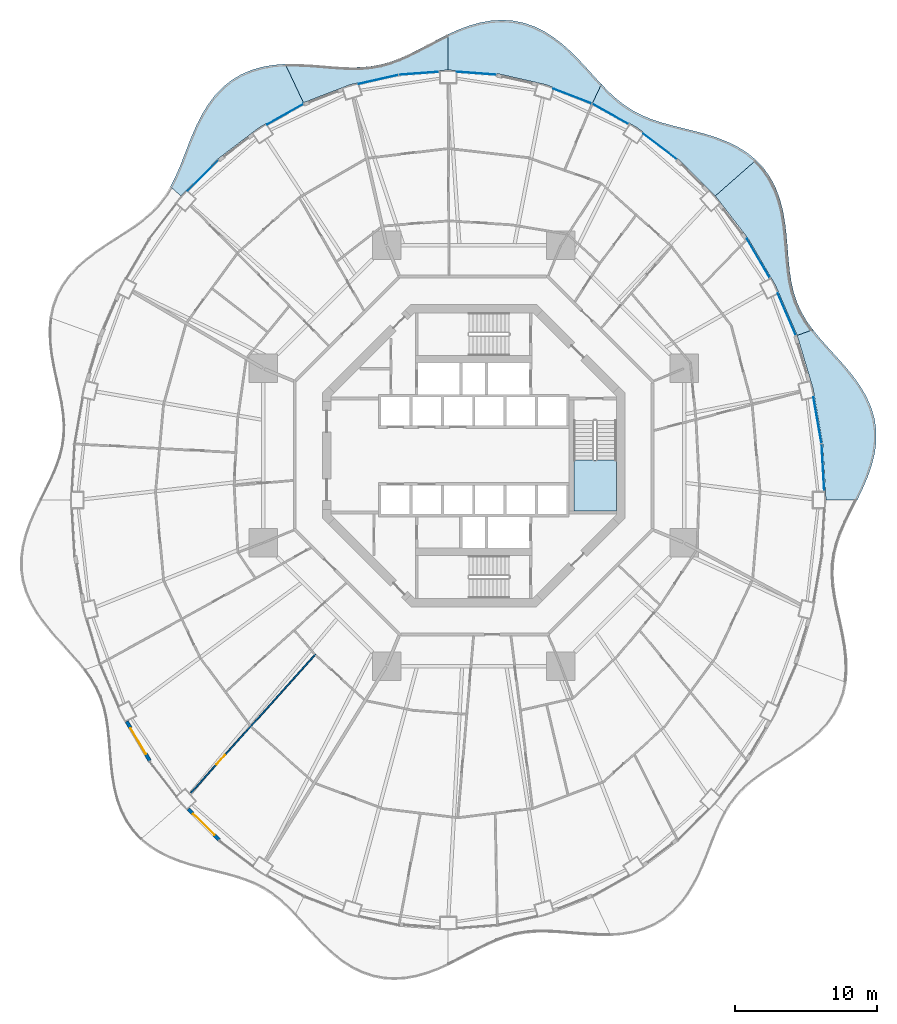
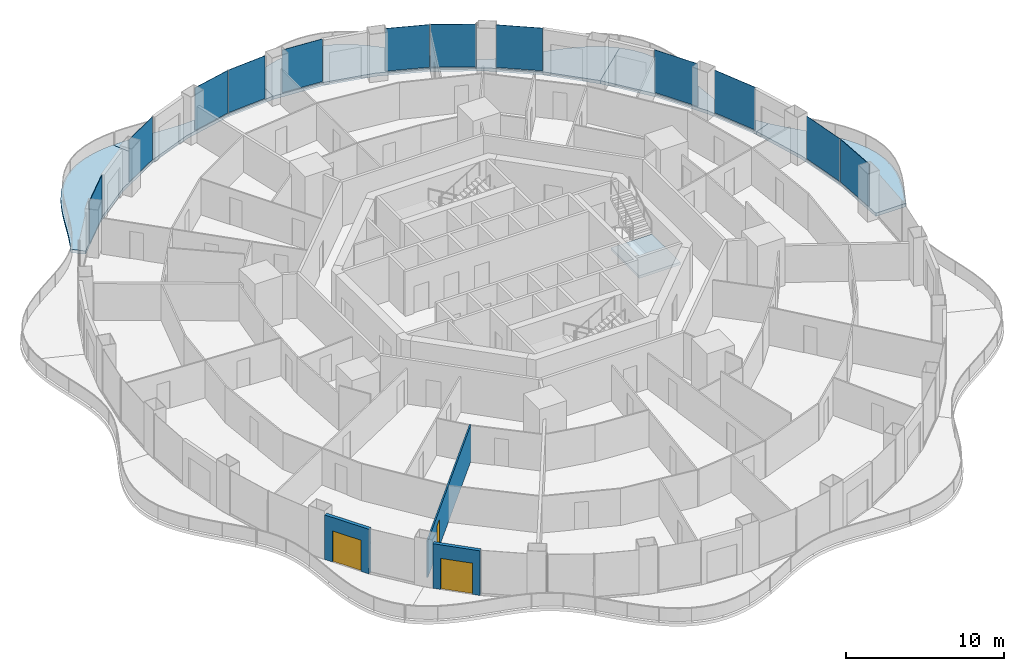
# One storey, part 11 of 20: 12 plates, 7 slabs, 3 doors, 3 walls, 3 openings, 13 elements without a shape of their own.
"""IFC4 building model written with IfcOpenShell, lengths in metres."""

from ifc_helpers import new_model, si_unit, direction, frame, frame_2d, origin, origin_2d, place, context, subcontext, project, spatial, polyline, rectangle, outline, extrude, material, layer, layer_set, type_object, element, fill, aggregate, save


model = new_model("IFC4")

# Units and contexts
model_context = context("Model", 3, precision=1e-05, world=origin(), true_north=direction((0.0, 1.0)))
body_context = subcontext(model_context, "Body", "Model", "MODEL_VIEW")
ifc_project = project(units=[si_unit("LENGTHUNIT", "METRE"), si_unit("AREAUNIT", "SQUARE_METRE"), si_unit("VOLUMEUNIT", "CUBIC_METRE"), si_unit("PLANEANGLEUNIT", "RADIAN"), si_unit("MASSUNIT", "GRAM", prefix="KILO")], contexts=[model_context])

# Site, building, storey
site_placement = place(None, origin())
site = spatial("IfcSite", under=ifc_project, at=site_placement, CompositionType="ELEMENT")
building_placement = place(site_placement, origin())
building = spatial("IfcBuilding", under=site, at=building_placement, Name="Nagisa Residences", CompositionType="ELEMENT")
storey_placement = place(building_placement, frame((0.0, 0.0, 141.800048828125)))
storey = spatial("IfcBuildingStorey", under=building, at=storey_placement, Name="L35", CompositionType="ELEMENT", Elevation=141.800048828125)

# Slabs
ifc_material_1 = material(Name="Concrete C40/50", Category="concrete")
ifc_layer_1 = layer(ifc_material_1, 0.25)
ifc_layer_set_1 = layer_set([ifc_layer_1], Name="BALCONY SLAB 250")
slab_type_1 = type_object("IfcSlabType", Name="BALCONY SLAB 250", PredefinedType="FLOOR", material=ifc_layer_set_1)
slab_1_placement = place(storey_placement, frame((0.0, 0.0, -0.25)))
element("IfcSlab", 1, at=slab_1_placement, inside=storey, type_object=slab_type_1, Name="slab:L35:bal00", PredefinedType="FLOOR", context=body_context, shape_type="SweptSolid", body=[
    extrude(outline(polyline([(26.92822265625, -3.11767578125), (27.307861328125, -2.325439453125), (27.654541015625, -1.517822265625), (27.943115234375, -0.697265625), (28.15087890625, 0.131103515625), (28.260009765625, 0.9609375), (28.25830078125, 1.78515625), (28.1396484375, 2.596435546875), (27.905517578125, 3.387939453125), (27.563720703125, 4.154541015625), (27.12890625, 4.892333984375), (26.619873046875, 5.600830078125), (26.060302734375, 6.281005859375), (25.47509765625, 6.937255859375), (24.89013671875, 7.576171875), (24.32958984375, 8.206298828125), (23.814208984375, 8.83740234375), (22.715087890625, 8.4375), (23.830810546875, 4.697265625), (24.508056640625, 0.823486328125), (24.735107421875, -3.11767578125), (26.92822265625, -3.11767578125)])), origin(), (0.0, 0.0, 1.0), 0.25),
])
slab_2_placement = place(storey_placement, frame((0.0, 0.0, -0.25)))
element("IfcSlab", 2, at=slab_2_placement, inside=storey, type_object=slab_type_1, Name="slab:L35:bal01", PredefinedType="FLOOR", context=body_context, shape_type="SweptSolid", body=[
    extrude(outline(polyline([(23.814208984375, 8.83740234375), (23.37353515625, 9.459716796875), (23.000732421875, 10.101318359375), (22.69970703125, 10.770263671875), (22.46923828125, 11.471923828125), (22.3017578125, 12.20947265625), (22.185302734375, 12.98291015625), (22.103271484375, 13.7890625), (22.0361328125, 14.621337890625), (21.96337890625, 15.47021484375), (21.86376953125, 16.32373046875), (21.71728515625, 17.16748046875), (21.5068359375, 17.987060546875), (21.218994140625, 18.767578125), (20.84521484375, 19.49560546875), (20.381103515625, 20.15966796875), (19.82861328125, 20.75146484375), (16.963134765625, 18.2333984375), (19.251708984375, 15.263916015625), (21.179931640625, 11.979736328125), (22.715087890625, 8.4375), (23.814208984375, 8.83740234375)])), origin(), (0.0, 0.0, 1.0), 0.25),
])
slab_3_placement = place(storey_placement, frame((0.0, 0.0, -0.25)))
element("IfcSlab", 3, at=slab_3_placement, inside=storey, type_object=slab_type_1, Name="slab:L35:bal02", PredefinedType="FLOOR", context=body_context, shape_type="SweptSolid", body=[
    extrude(outline(polyline([(19.82861328125, 20.75146484375), (19.22509765625, 21.24462890625), (18.55615234375, 21.668212890625), (17.83349609375, 22.025634765625), (17.07177734375, 22.324462890625), (16.286376953125, 22.574951171875), (15.4921875, 22.79052734375), (14.703857421875, 22.986328125), (13.934326171875, 23.178466796875), (13.193359375, 23.383544921875), (12.48779296875, 23.6162109375), (11.821044921875, 23.8896484375), (11.193603515625, 24.2138671875), (10.601318359375, 24.5947265625), (10.038330078125, 25.034423828125), (9.49609375, 25.529541015625), (8.96435546875, 26.072998046875), (8.3544921875, 24.77880859375), (11.467529296875, 23.031982421875), (14.353515625, 20.837646484375), (16.963134765625, 18.2333984375), (19.82861328125, 20.75146484375)])), origin(), (0.0, 0.0, 1.0), 0.25),
])
slab_4_placement = place(storey_placement, frame((0.0, 0.0, -0.25)))
element("IfcSlab", 4, at=slab_4_placement, inside=storey, type_object=slab_type_1, Name="slab:L35:bal03", PredefinedType="FLOOR", context=body_context, shape_type="SweptSolid", body=[
    extrude(outline(polyline([(8.96435546875, 26.072998046875), (8.451904296875, 26.63134765625), (7.9296875, 27.209716796875), (7.38916015625, 27.7919921875), (6.8232421875, 28.360107421875), (6.226318359375, 28.89599609375), (5.59619140625, 29.381591796875), (4.931640625, 29.80078125), (4.234619140625, 30.139404296875), (3.509521484375, 30.386962890625), (2.761474609375, 30.537353515625), (1.997802734375, 30.588134765625), (1.22607421875, 30.5419921875), (0.4541015625, 30.406005859375), (-0.311279296875, 30.19091796875), (-1.06396484375, 29.9111328125), (-1.800048828125, 29.583984375), (-1.800048828125, 27.077392578125), (1.66357421875, 26.819091796875), (5.06787109375, 26.04833984375), (8.3544921875, 24.77880859375), (8.96435546875, 26.072998046875)])), origin(), (0.0, 0.0, 1.0), 0.25),
])
slab_5_placement = place(storey_placement, frame((0.0, 0.0, -0.25)))
element("IfcSlab", 5, at=slab_5_placement, inside=storey, type_object=slab_type_1, Name="slab:L35:bal04", PredefinedType="FLOOR", context=body_context, shape_type="SweptSolid", body=[
    extrude(outline(polyline([(-1.800048828125, 29.583984375), (-2.5166015625, 29.228271484375), (-3.2138671875, 28.86279296875), (-3.8935546875, 28.50634765625), (-4.55908203125, 28.17578125), (-5.216064453125, 27.885498046875), (-5.870361328125, 27.645751953125), (-6.52880859375, 27.4638671875), (-7.197998046875, 27.341552734375), (-7.88330078125, 27.276611328125), (-8.58935546875, 27.2626953125), (-9.318359375, 27.289306640625), (-10.07080078125, 27.343017578125), (-10.84423828125, 27.40771484375), (-11.63427734375, 27.466064453125), (-12.43408203125, 27.5009765625), (-13.23486328125, 27.4951171875), (-11.95458984375, 24.77880859375), (-8.667724609375, 26.04833984375), (-5.263427734375, 26.819091796875), (-1.800048828125, 27.077392578125), (-1.800048828125, 29.583984375)])), origin(), (0.0, 0.0, 1.0), 0.25),
])
slab_6_placement = place(storey_placement, frame((0.0, 0.0, -0.25)))
element("IfcSlab", 6, at=slab_6_placement, inside=storey, type_object=slab_type_1, Name="slab:L35:bal05", PredefinedType="FLOOR", context=body_context, shape_type="SweptSolid", body=[
    extrude(outline(polyline([(-13.23486328125, 27.4951171875), (-14.05615234375, 27.43017578125), (-14.856201171875, 27.291259765625), (-15.623291015625, 27.068359375), (-16.34619140625, 26.755859375), (-17.01611328125, 26.35205078125), (-17.626220703125, 25.860595703125), (-18.173583984375, 25.2890625), (-18.65771484375, 24.6484375), (-19.082763671875, 23.953125), (-19.45556640625, 23.218994140625), (-19.78662109375, 22.463134765625), (-20.088623046875, 21.701904296875), (-20.3759765625, 20.951416015625), (-20.664306640625, 20.224853515625), (-20.96875, 19.532958984375), (-21.302734375, 18.88330078125), (-20.56298828125, 18.2333984375), (-17.953369140625, 20.837646484375), (-15.0673828125, 23.031982421875), (-11.95458984375, 24.77880859375), (-13.23486328125, 27.4951171875)])), origin(), (0.0, 0.0, 1.0), 0.25),
])

# Curtain wall, plate
ifc_material_2 = material(Name="Concrete-coloured aluminium curtain wall system", Category="concrete")
ifc_layer_2 = layer(ifc_material_2, 0.159912109375)
ifc_layer_set_2 = layer_set([ifc_layer_2], Name="CW1 CURTAIN WALL")
curtain_wall_type = type_object("IfcCurtainWallType", Name="CW1 CURTAIN WALL", PredefinedType="NOTDEFINED", material=ifc_layer_set_2)
curtain_wall_1_placement = place(storey_placement, origin())
curtain_wall_1 = element("IfcCurtainWall", 7, at=curtain_wall_1_placement, inside=storey, type_object=curtain_wall_type, Name="cw:CW1:L35:00", PredefinedType="NOTDEFINED")
ifc_material_3 = material(Name="Clear laminated glass", Category="glass")
ifc_layer_3 = layer(ifc_material_3, 0.028076171875)
ifc_layer_set_3 = layer_set([ifc_layer_3], Name="CW1 GLASS PANEL")
plate_type = type_object("IfcPlateType", Name="CW1 GLASS PANEL", PredefinedType="CURTAIN_PANEL", material=ifc_layer_set_3)
plate_1_placement = place(storey_placement, frame((24.522705078125, -0.822265625, 0.14990234375), z_axis=(0.0, 0.0, 1.0), x_axis=(-0.057503492216, 0.998345305184, 0.0)))
plate_1 = element("IfcPlate", 8, at=plate_1_placement, type_object=plate_type, Name="CW1 panel", PredefinedType="CURTAIN_PANEL", context=body_context, shape_type="SweptSolid", body=[
    extrude(rectangle(XDim=3.287841796875, YDim=0.028076171875, at=origin_2d()), origin(), (0.0, 0.0, 1.0), 3.2900390625),
])
aggregate(curtain_wall_1, [plate_1])

curtain_wall_2_placement = place(storey_placement, origin())
curtain_wall_2 = element("IfcCurtainWall", 9, at=curtain_wall_2_placement, inside=storey, type_object=curtain_wall_type, Name="cw:CW1:L35:01", PredefinedType="NOTDEFINED")
plate_2_placement = place(storey_placement, frame((24.13720703125, 2.480712890625, 0.14990234375), z_axis=(0.0, 0.0, 1.0), x_axis=(-0.172190868898, 0.985063604377, 0.0)))
plate_2 = element("IfcPlate", 10, at=plate_2_placement, type_object=plate_type, Name="CW1 panel", PredefinedType="CURTAIN_PANEL", context=body_context, shape_type="SweptSolid", body=[
    extrude(rectangle(XDim=3.2724609375, YDim=0.028076171875, at=origin_2d()), origin(), (0.0, 0.0, 1.0), 3.2900390625),
])
aggregate(curtain_wall_2, [plate_2])

curtain_wall_3_placement = place(storey_placement, origin())
curtain_wall_3 = element("IfcCurtainWall", 11, at=curtain_wall_3_placement, inside=storey, type_object=curtain_wall_type, Name="cw:CW1:L35:03", PredefinedType="NOTDEFINED")
plate_3_placement = place(storey_placement, frame((21.9814453125, 9.928955078125, 0.14990234375), z_axis=(0.0, 0.0, 1.0), x_axis=(-0.397635934147, 0.917543276295, 0.0)))
plate_3 = element("IfcPlate", 12, at=plate_3_placement, type_object=plate_type, Name="CW1 panel", PredefinedType="CURTAIN_PANEL", context=body_context, shape_type="SweptSolid", body=[
    extrude(rectangle(XDim=3.20068359375, YDim=0.028076171875, at=origin_2d()), origin(), (0.0, 0.0, 1.0), 3.2900390625),
])
aggregate(curtain_wall_3, [plate_3])

curtain_wall_4_placement = place(storey_placement, origin())
curtain_wall_4 = element("IfcCurtainWall", 13, at=curtain_wall_4_placement, inside=storey, type_object=curtain_wall_type, Name="cw:CW1:L35:04", PredefinedType="NOTDEFINED")
plate_4_placement = place(storey_placement, frame((19.979736328125, 13.865966796875, 0.14990234375), z_axis=(0.0, 0.0, 1.0), x_axis=(-0.506348567002, 0.862328898214, 0.0)))
plate_4 = element("IfcPlate", 14, at=plate_4_placement, type_object=plate_type, Name="CW1 panel", PredefinedType="CURTAIN_PANEL", context=body_context, shape_type="SweptSolid", body=[
    extrude(rectangle(XDim=3.1484375, YDim=0.028076171875, at=origin_2d()), origin(), (0.0, 0.0, 1.0), 3.2900390625),
])
aggregate(curtain_wall_4, [plate_4])

curtain_wall_5_placement = place(storey_placement, origin())
curtain_wall_5 = element("IfcCurtainWall", 15, at=curtain_wall_5_placement, inside=storey, type_object=curtain_wall_type, Name="cw:CW1:L35:07", PredefinedType="NOTDEFINED")
plate_5_placement = place(storey_placement, frame((13.076904296875, 21.707763671875, 0.14990234375), z_axis=(0.0, 0.0, 1.0), x_axis=(-0.79603132756, 0.605255421737, 0.0)))
plate_5 = element("IfcPlate", 16, at=plate_5_placement, type_object=plate_type, Name="CW1 panel", PredefinedType="CURTAIN_PANEL", context=body_context, shape_type="SweptSolid", body=[
    extrude(rectangle(XDim=2.965576171875, YDim=0.028076171875, at=origin_2d()), origin(), (0.0, 0.0, 1.0), 3.2900390625),
])
aggregate(curtain_wall_5, [plate_5])

curtain_wall_6_placement = place(storey_placement, origin())
curtain_wall_6 = element("IfcCurtainWall", 17, at=curtain_wall_6_placement, inside=storey, type_object=curtain_wall_type, Name="cw:CW1:L35:08", PredefinedType="NOTDEFINED")
plate_6_placement = place(storey_placement, frame((9.583984375, 23.9970703125, 0.14990234375), z_axis=(0.0, 0.0, 1.0), x_axis=(-0.872072377523, 0.489376918501, 0.0)))
plate_6 = element("IfcPlate", 18, at=plate_6_placement, type_object=plate_type, Name="CW1 panel", PredefinedType="CURTAIN_PANEL", context=body_context, shape_type="SweptSolid", body=[
    extrude(rectangle(XDim=2.90966796875, YDim=0.028076171875, at=origin_2d()), origin(), (0.0, 0.0, 1.0), 3.2900390625),
])
aggregate(curtain_wall_6, [plate_6])

curtain_wall_7_placement = place(storey_placement, origin())
curtain_wall_7 = element("IfcCurtainWall", 19, at=curtain_wall_7_placement, inside=storey, type_object=curtain_wall_type, Name="cw:CW1:L35:09", PredefinedType="NOTDEFINED")
plate_7_placement = place(storey_placement, frame((6.93408203125, 25.24169921875, 0.14990234375), z_axis=(0.0, 0.0, 1.0), x_axis=(-0.932825759707, 0.360327770268, 0.0)))
plate_7 = element("IfcPlate", 20, at=plate_7_placement, type_object=plate_type, Name="CW1 panel", PredefinedType="CURTAIN_PANEL", context=body_context, shape_type="SweptSolid", body=[
    extrude(rectangle(XDim=2.863525390625, YDim=0.028076171875, at=origin_2d()), origin(), (0.0, 0.0, 1.0), 3.2900390625),
])
aggregate(curtain_wall_7, [plate_7])

curtain_wall_8_placement = place(storey_placement, origin())
curtain_wall_8 = element("IfcCurtainWall", 21, at=curtain_wall_8_placement, inside=storey, type_object=curtain_wall_type, Name="cw:CW1:L35:11", PredefinedType="NOTDEFINED")
plate_8_placement = place(storey_placement, frame((0.195068359375, 26.848388671875, 0.14990234375), z_axis=(0.0, 0.0, 1.0), x_axis=(-0.997230168512, 0.074377355493, 0.0)))
plate_8 = element("IfcPlate", 22, at=plate_8_placement, type_object=plate_type, Name="CW1 panel", PredefinedType="CURTAIN_PANEL", context=body_context, shape_type="SweptSolid", body=[
    extrude(rectangle(XDim=2.813232421875, YDim=0.028076171875, at=origin_2d()), origin(), (0.0, 0.0, 1.0), 3.2900390625),
])
aggregate(curtain_wall_8, [plate_8])

curtain_wall_9_placement = place(storey_placement, origin())
curtain_wall_9 = element("IfcCurtainWall", 23, at=curtain_wall_9_placement, inside=storey, type_object=curtain_wall_type, Name="cw:CW1:L35:12", PredefinedType="NOTDEFINED")
plate_9_placement = place(storey_placement, frame((-3.85498046875, 26.84375, 0.14990234375), z_axis=(0.0, 0.0, 1.0), x_axis=(-0.997230168512, -0.074377355493, 0.0)))
plate_9 = element("IfcPlate", 24, at=plate_9_placement, type_object=plate_type, Name="CW1 panel", PredefinedType="CURTAIN_PANEL", context=body_context, shape_type="SweptSolid", body=[
    extrude(rectangle(XDim=2.813232421875, YDim=0.028076171875, at=origin_2d()), origin(), (0.0, 0.0, 1.0), 3.2900390625),
])
aggregate(curtain_wall_9, [plate_9])

curtain_wall_10_placement = place(storey_placement, origin())
curtain_wall_10 = element("IfcCurtainWall", 25, at=curtain_wall_10_placement, inside=storey, type_object=curtain_wall_type, Name="cw:CW1:L35:13", PredefinedType="NOTDEFINED")
plate_10_placement = place(storey_placement, frame((-6.6845703125, 26.415283203125, 0.14990234375), z_axis=(0.0, 0.0, 1.0), x_axis=(-0.975327274089, -0.2207639201, 0.0)))
plate_10 = element("IfcPlate", 26, at=plate_10_placement, type_object=plate_type, Name="CW1 panel", PredefinedType="CURTAIN_PANEL", context=body_context, shape_type="SweptSolid", body=[
    extrude(rectangle(XDim=2.830322265625, YDim=0.028076171875, at=origin_2d()), origin(), (0.0, 0.0, 1.0), 3.2900390625),
])
aggregate(curtain_wall_10, [plate_10])

curtain_wall_11_placement = place(storey_placement, origin())
curtain_wall_11 = element("IfcCurtainWall", 27, at=curtain_wall_11_placement, inside=storey, type_object=curtain_wall_type, Name="cw:CW1:L35:15", PredefinedType="NOTDEFINED")
plate_11_placement = place(storey_placement, frame((-13.236328125, 23.9677734375, 0.14990234375), z_axis=(0.0, 0.0, 1.0), x_axis=(-0.872072377523, -0.489376918501, 0.0)))
plate_11 = element("IfcPlate", 28, at=plate_11_placement, type_object=plate_type, Name="CW1 panel", PredefinedType="CURTAIN_PANEL", context=body_context, shape_type="SweptSolid", body=[
    extrude(rectangle(XDim=2.90966796875, YDim=0.028076171875, at=origin_2d()), origin(), (0.0, 0.0, 1.0), 3.2900390625),
])
aggregate(curtain_wall_11, [plate_11])

curtain_wall_12_placement = place(storey_placement, origin())
curtain_wall_12 = element("IfcCurtainWall", 29, at=curtain_wall_12_placement, inside=storey, type_object=curtain_wall_type, Name="cw:CW1:L35:17", PredefinedType="NOTDEFINED")
plate_12_placement = place(storey_placement, frame((-19.0107421875, 19.669677734375, 0.14990234375), z_axis=(0.0, 0.0, 1.0), x_axis=(-0.707835924016, -0.706376885714, 0.0)))
plate_12 = element("IfcPlate", 30, at=plate_12_placement, type_object=plate_type, Name="CW1 panel", PredefinedType="CURTAIN_PANEL", context=body_context, shape_type="SweptSolid", body=[
    extrude(rectangle(XDim=3.026611328125, YDim=0.028076171875, at=origin_2d()), origin(), (0.0, 0.0, 1.0), 3.2900390625),
])
aggregate(curtain_wall_12, [plate_12])

# Stair, slab
ifc_material_4 = material(Name="Concrete C60", Category="concrete")
stair_type = type_object("IfcStairType", Name="Exit stair", PredefinedType="HALF_TURN_STAIR", material=ifc_material_4)
stair_placement = place(storey_placement, origin())
stair = element("IfcStair", 31, at=stair_placement, inside=storey, type_object=stair_type, Name="L35 Exit stair E", PredefinedType="HALF_TURN_STAIR")
ifc_material_5 = material(Name="Concrete C60", Category="concrete")
ifc_layer_4 = layer(ifc_material_5, 0.199951171875)
ifc_layer_set_4 = layer_set([ifc_layer_4], Name="Stair landing")
slab_type_2 = type_object("IfcSlabType", Name="Stair landing", PredefinedType="LANDING", material=ifc_layer_set_4)
slab_7_placement = place(storey_placement, frame((0.0, 0.0, 1.64990234375)))
slab_7 = element("IfcSlab", 32, at=slab_7_placement, type_object=slab_type_2, Name="ST-E landing 1", PredefinedType="LANDING", context=body_context, shape_type="SweptSolid", body=[
    extrude(outline(polyline([(7.024658203125, -0.324951171875), (7.024658203125, -3.89990234375), (10.024658203125, -3.89990234375), (10.024658203125, -0.324951171875), (7.024658203125, -0.324951171875)])), origin(), (0.0, 0.0, 1.0), 0.199951171875),
])
aggregate(stair, [slab_7])

# Wall, opening, door
ifc_material_6 = material(Name="Gypsum board on steel studs", Category="steel")
ifc_layer_5 = layer(ifc_material_6, 0.10009765625)
ifc_layer_set_5 = layer_set([ifc_layer_5], Name="Apartment partition 100")
wall_type_1 = type_object("IfcWallType", Name="Apartment partition 100", PredefinedType="PARTITIONING", material=ifc_layer_set_5)
wall_1_placement = place(storey_placement, frame((-11.10888671875, -13.95068359375, 0.0), z_axis=(0.0, 0.0, 1.0), x_axis=(-0.668488676691, -0.743722319913, 0.0)))
wall_1 = element("IfcWall", 33, at=wall_1_placement, inside=storey, type_object=wall_type_1, Name="wall:L35:u66", PredefinedType="PARTITIONING", context=body_context, shape_type="SweptSolid", body=[
    extrude(rectangle(XDim=13.093994140625, YDim=0.10009765625, at=frame_2d((6.546875, 0.0))), origin(), (0.0, 0.0, 1.0), 2.827880859375),
])
opening_1_placement = place(wall_1_placement, frame((9.500244140625, 0.0, 0.0)))
opening_1 = element("IfcOpeningElement", 34, at=opening_1_placement, cuts=wall_1, Name="Opening L35-U09", PredefinedType="OPENING", context=body_context, shape_type="SweptSolid", body=[
    extrude(rectangle(XDim=0.89990234375, YDim=2.10009765625, at=frame_2d((0.449951171875, 1.050048828125))), frame((0.0, 0.06005859375, 0.0), z_axis=(0.0, -1.0, 0.0), x_axis=(1.0, 0.0, 0.0)), (0.0, 0.0, 1.0), 0.1201171875),
])
ifc_material_7 = material(Name="Timber door set", Category="wood")
door_type_1 = type_object("IfcDoorType", Name="Apartment door 900x2100", OperationType="NOTDEFINED", PredefinedType="DOOR", material=ifc_material_7)
door_1_placement = place(opening_1_placement, origin())
door_1 = element("IfcDoor", 35, at=door_1_placement, inside=storey, type_object=door_type_1, Name="Door to master bedroom, Apartment 35A", OperationType="SINGLE_SWING_LEFT", OverallHeight=2.10009765625, OverallWidth=0.89990234375, PredefinedType="DOOR", context=body_context, shape_type="SweptSolid", body=[
    extrude(rectangle(XDim=0.89990234375, YDim=2.10009765625, at=frame_2d((0.449951171875, 1.050048828125))), frame((0.0, 0.02490234375, 0.0), z_axis=(0.0, -1.0, 0.0), x_axis=(1.0, 0.0, 0.0)), (0.0, 0.0, 1.0), 0.050048828125),
])
fill(opening_1, door_1)

ifc_material_8 = material(Name="Precast concrete C40/50", Category="concrete")
ifc_layer_6 = layer(ifc_material_8, 0.25)
ifc_layer_set_6 = layer_set([ifc_layer_6], Name="BALCONY DOOR WALL 250")
wall_type_2 = type_object("IfcWallType", Name="BALCONY DOOR WALL 250", PredefinedType="SOLIDWALL", material=ifc_layer_set_6)
wall_2_placement = place(storey_placement, frame((-22.743896484375, -21.43603515625, 0.0), z_axis=(0.0, 0.0, 1.0), x_axis=(-0.506314982873, 0.862348617508, 0.0)))
wall_2 = element("IfcWall", 36, at=wall_2_placement, inside=storey, type_object=wall_type_2, Name="wall:L35:bay28", PredefinedType="SOLIDWALL", context=body_context, shape_type="SweptSolid", body=[
    extrude(rectangle(XDim=3.20849609375, YDim=0.25, at=frame_2d((1.604248046875, 0.0))), origin(), (0.0, 0.0, 1.0), 3.43994140625),
])
opening_2_placement = place(wall_2_placement, frame((0.55419921875, 0.0, 0.0)))
opening_2 = element("IfcOpeningElement", 37, at=opening_2_placement, cuts=wall_2, Name="Opening BD-L35-10", PredefinedType="OPENING", context=body_context, shape_type="SweptSolid", body=[
    extrude(rectangle(XDim=2.10009765625, YDim=2.39990234375, at=frame_2d((1.050048828125, 1.199951171875))), frame((0.0, 0.135009765625, 0.0), z_axis=(0.0, -1.0, 0.0), x_axis=(1.0, 0.0, 0.0)), (0.0, 0.0, 1.0), 0.27001953125),
])
ifc_material_9 = material(Name="Aluminium and clear glass", Category="aluminium")
door_type_2 = type_object("IfcDoorType", Name="BALCONY SLIDING DOOR 2100x2400", OperationType="SLIDING_TO_LEFT", PredefinedType="DOOR", material=ifc_material_9)
door_2_placement = place(opening_2_placement, origin())
door_2 = element("IfcDoor", 38, at=door_2_placement, inside=storey, type_object=door_type_2, Name="door:L35:bay28", OperationType="SLIDING_TO_LEFT", OverallHeight=2.39990234375, OverallWidth=2.10009765625, PredefinedType="DOOR", context=body_context, shape_type="SweptSolid", body=[
    extrude(rectangle(XDim=2.10009765625, YDim=2.39990234375, at=frame_2d((1.050048828125, 1.199951171875))), frame((0.0, 0.02490234375, 0.0), z_axis=(0.0, -1.0, 0.0), x_axis=(1.0, 0.0, 0.0)), (0.0, 0.0, 1.0), 0.050048828125),
])
fill(opening_2, door_2)

wall_3_placement = place(storey_placement, frame((-17.865234375, -26.984619140625, 0.0), z_axis=(0.0, 0.0, 1.0), x_axis=(-0.707818274975, 0.706394570768, 0.0)))
wall_3 = element("IfcWall", 39, at=wall_3_placement, inside=storey, type_object=wall_type_2, Name="wall:L35:bay30", PredefinedType="SOLIDWALL", context=body_context, shape_type="SweptSolid", body=[
    extrude(rectangle(XDim=3.086669921875, YDim=0.25, at=frame_2d((1.54345703125, 0.0))), origin(), (0.0, 0.0, 1.0), 3.43994140625),
])
opening_3_placement = place(wall_3_placement, frame((0.493408203125, 0.0, 0.0)))
opening_3 = element("IfcOpeningElement", 40, at=opening_3_placement, cuts=wall_3, Name="Opening BD-L35-11", PredefinedType="OPENING", context=body_context, shape_type="SweptSolid", body=[
    extrude(rectangle(XDim=2.10009765625, YDim=2.39990234375, at=frame_2d((1.050048828125, 1.199951171875))), frame((0.0, 0.135009765625, 0.0), z_axis=(0.0, -1.0, 0.0), x_axis=(1.0, 0.0, 0.0)), (0.0, 0.0, 1.0), 0.27001953125),
])
door_3_placement = place(opening_3_placement, origin())
door_3 = element("IfcDoor", 41, at=door_3_placement, inside=storey, type_object=door_type_2, Name="door:L35:bay30", OperationType="SLIDING_TO_LEFT", OverallHeight=2.39990234375, OverallWidth=2.10009765625, PredefinedType="DOOR", context=body_context, shape_type="SweptSolid", body=[
    extrude(rectangle(XDim=2.10009765625, YDim=2.39990234375, at=frame_2d((1.050048828125, 1.199951171875))), frame((0.0, 0.02490234375, 0.0), z_axis=(0.0, -1.0, 0.0), x_axis=(1.0, 0.0, 0.0)), (0.0, 0.0, 1.0), 0.050048828125),
])
fill(opening_3, door_3)

save(model, "model.ifc")
